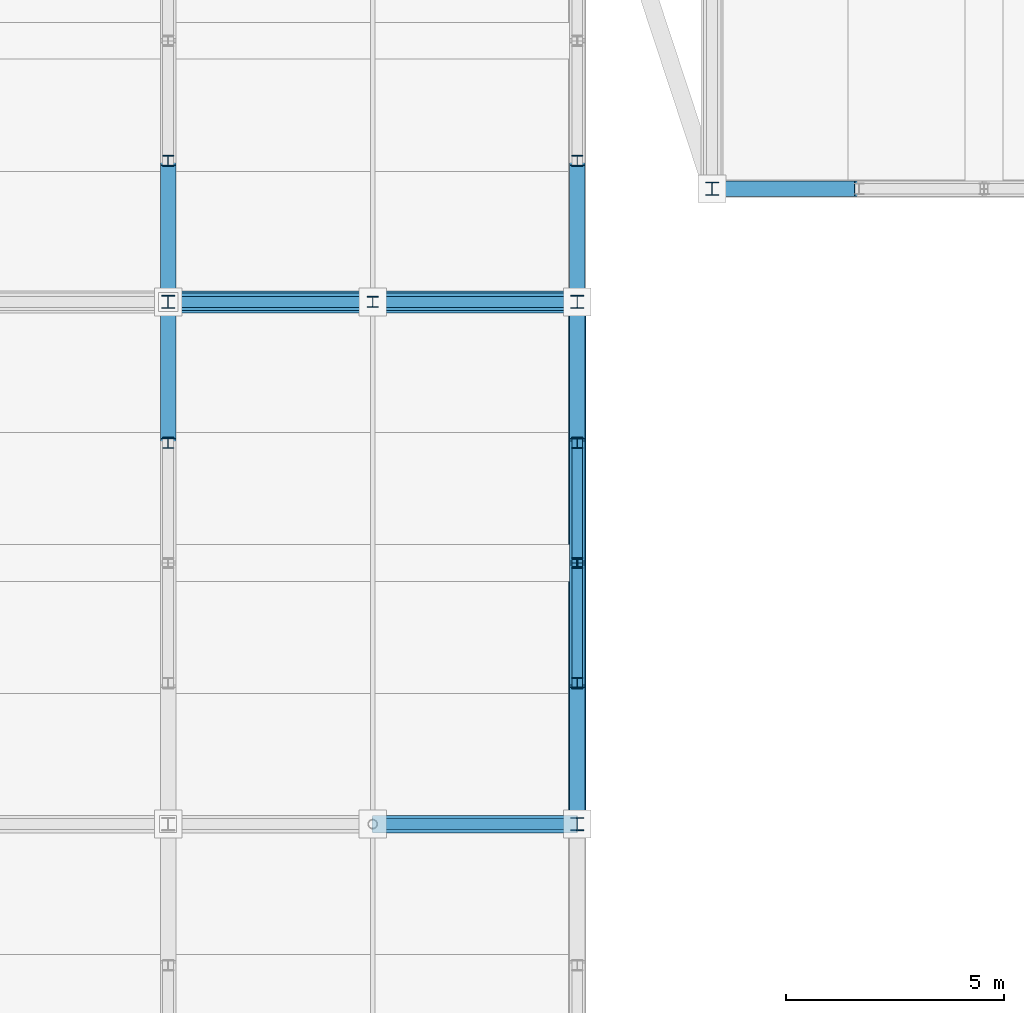
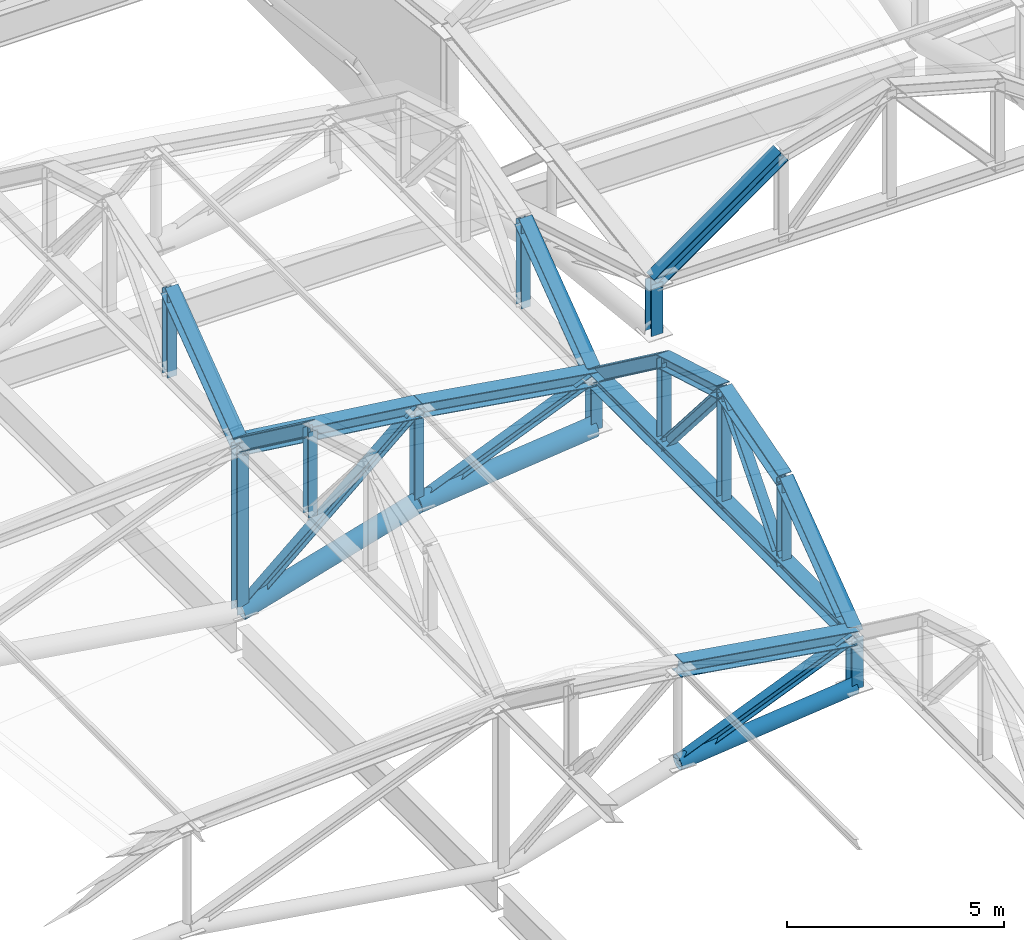
# One storey, part 41 of 117: 31 members.
"""IFC4 building model written with IfcOpenShell, lengths in metres."""

from ifc_helpers import new_model, si_unit, direction, frame, origin, origin_2d, place, context, subcontext, project, spatial, hollow_circle, i_section, extrude, material, material_profile, profile_set, type_object, element, save


model = new_model("IFC4")

# Units and contexts
model_context = context("Model", 3, precision=1e-05, world=origin(), true_north=direction((0.0, 1.0)))
body_context = subcontext(model_context, "Body", "Model", "MODEL_VIEW")
ifc_project = project(units=[si_unit("LENGTHUNIT", "METRE"), si_unit("AREAUNIT", "SQUARE_METRE"), si_unit("VOLUMEUNIT", "CUBIC_METRE"), si_unit("PLANEANGLEUNIT", "RADIAN"), si_unit("MASSUNIT", "GRAM", prefix="KILO")], contexts=[model_context])

# Site, building, storey
site_placement = place(None, origin())
site = spatial("IfcSite", under=ifc_project, at=site_placement, CompositionType="ELEMENT")
building_placement = place(site_placement, origin())
building = spatial("IfcBuilding", under=site, at=building_placement, Name="Kazenohara Klinker Stadium", CompositionType="ELEMENT")
storey_placement = place(building_placement, frame((0.0, 0.0, 31.199951171875)))
storey = spatial("IfcBuildingStorey", under=building, at=storey_placement, Name="RF", CompositionType="ELEMENT", Elevation=31.199951171875)

# Members
ifc_material = material(Name="Steel S355", Category="steel")
ifc_material_profile_1 = material_profile(ifc_material, i_section(OverallWidth=0.25, OverallDepth=0.25, WebThickness=0.009033203125, FlangeThickness=0.013916015625, FilletRadius=0.012939453125, at=origin_2d()), Name="H-250x250x9x14")
ifc_profile_set_1 = profile_set([ifc_material_profile_1], Name="Steel S355")
member_type_1 = type_object("IfcMemberType", Name="MEM-BRC02", PredefinedType="BRACE", material=ifc_profile_set_1)
member_1_placement = place(storey_placement, frame((53.699951171875, 108.0, 1.35009765625), z_axis=(0.923659284192, 0.0, 0.383214726655), x_axis=(0.0, 1.0, 0.0)))
element("IfcMember", 1, at=member_1_placement, inside=storey, type_object=member_type_1, Name="ROOF TRUSS RT-W06 web diagonal 5", PredefinedType="BRACE", context=body_context, shape_type="SweptSolid", body=[
    extrude(i_section(OverallWidth=0.25, OverallDepth=0.25, WebThickness=0.009033203125, FlangeThickness=0.013916015625, FilletRadius=0.012939453125, at=origin_2d()), origin(), (0.0, 0.0, 1.0), 5.08837890625),
])
member_2_placement = place(storey_placement, frame((49.0, 120.0, -0.02001953125), z_axis=(0.755945561544, 0.0, 0.65463448426), x_axis=(0.0, 1.0, 0.0)))
element("IfcMember", 2, at=member_2_placement, inside=storey, type_object=member_type_1, Name="ROOF TRUSS RT-W07 web diagonal 4", PredefinedType="BRACE", context=body_context, shape_type="SweptSolid", body=[
    extrude(i_section(OverallWidth=0.25, OverallDepth=0.25, WebThickness=0.009033203125, FlangeThickness=0.013916015625, FilletRadius=0.012939453125, at=origin_2d()), origin(), (0.0, 0.0, 1.0), 6.21728515625),
])
member_3_placement = place(storey_placement, frame((53.699951171875, 120.0, 1.35009765625), z_axis=(0.923659284192, 0.0, 0.383214726655), x_axis=(0.0, 1.0, 0.0)))
element("IfcMember", 3, at=member_3_placement, inside=storey, type_object=member_type_1, Name="ROOF TRUSS RT-W07 web diagonal 5", PredefinedType="BRACE", context=body_context, shape_type="SweptSolid", body=[
    extrude(i_section(OverallWidth=0.25, OverallDepth=0.25, WebThickness=0.009033203125, FlangeThickness=0.013916015625, FilletRadius=0.012939453125, at=origin_2d()), origin(), (0.0, 0.0, 1.0), 5.08837890625),
])
ifc_material_profile_2 = material_profile(ifc_material, i_section(OverallWidth=0.39990234375, OverallDepth=0.39990234375, WebThickness=0.012939453125, FlangeThickness=0.02099609375, FilletRadius=0.02197265625, at=origin_2d()), Name="H-400x400x13x21")
ifc_profile_set_2 = profile_set([ifc_material_profile_2], Name="Steel S355")
member_type_2 = type_object("IfcMemberType", Name="MEM-CHD01", PredefinedType="CHORD", material=ifc_profile_set_2)
member_4_placement = place(storey_placement, frame((53.699951171875, 108.0, 4.050048828125), z_axis=(0.987505848374, 0.0, -0.157582357602), x_axis=(0.0, 1.0, 0.0)))
element("IfcMember", 4, at=member_4_placement, inside=storey, type_object=member_type_2, Name="ROOF TRUSS RT-W06 top arched chord 5", PredefinedType="CHORD", context=body_context, shape_type="SweptSolid", body=[
    extrude(i_section(OverallWidth=0.39990234375, OverallDepth=0.39990234375, WebThickness=0.012939453125, FlangeThickness=0.02099609375, FilletRadius=0.02197265625, at=origin_2d()), origin(), (0.0, 0.0, 1.0), 4.759521484375),
])
member_5_placement = place(storey_placement, frame((49.0, 120.0, 4.650146484375), z_axis=(0.99194702514, 0.0, -0.126653461524), x_axis=(0.0, 1.0, 0.0)))
element("IfcMember", 5, at=member_5_placement, inside=storey, type_object=member_type_2, Name="ROOF TRUSS RT-W07 top arched chord 4", PredefinedType="CHORD", context=body_context, shape_type="SweptSolid", body=[
    extrude(i_section(OverallWidth=0.39990234375, OverallDepth=0.39990234375, WebThickness=0.012939453125, FlangeThickness=0.02099609375, FilletRadius=0.02197265625, at=origin_2d()), origin(), (0.0, 0.0, 1.0), 4.738037109375),
])
member_6_placement = place(storey_placement, frame((53.699951171875, 120.0, 4.050048828125), z_axis=(0.987505848374, 0.0, -0.157582357602), x_axis=(0.0, 1.0, 0.0)))
element("IfcMember", 6, at=member_6_placement, inside=storey, type_object=member_type_2, Name="ROOF TRUSS RT-W07 top arched chord 5", PredefinedType="CHORD", context=body_context, shape_type="SweptSolid", body=[
    extrude(i_section(OverallWidth=0.39990234375, OverallDepth=0.39990234375, WebThickness=0.012939453125, FlangeThickness=0.02099609375, FilletRadius=0.02197265625, at=origin_2d()), origin(), (0.0, 0.0, 1.0), 4.759521484375),
])
member_7_placement = place(storey_placement, frame((58.39990234375, 108.0, 3.300048828125), z_axis=(0.0, 1.0, 0.0), x_axis=(-1.0, 0.0, 0.0)))
element("IfcMember", 7, at=member_7_placement, inside=storey, type_object=member_type_2, Name="Inner tension ring chord TC01 segment 06", PredefinedType="CHORD", context=body_context, shape_type="SweptSolid", body=[
    extrude(i_section(OverallWidth=0.39990234375, OverallDepth=0.39990234375, WebThickness=0.012939453125, FlangeThickness=0.02099609375, FilletRadius=0.02197265625, at=origin_2d()), origin(), (0.0, 0.0, 1.0), 12.0),
])
ifc_material_profile_3 = material_profile(ifc_material, i_section(OverallWidth=0.35009765625, OverallDepth=0.35009765625, WebThickness=0.011962890625, FlangeThickness=0.01904296875, FilletRadius=0.012939453125, at=origin_2d()), Name="H-350x350x12x19")
ifc_profile_set_3 = profile_set([ifc_material_profile_3], Name="Steel S355")
member_type_3 = type_object("IfcMemberType", Name="MEM-CHD02", PredefinedType="CHORD", material=ifc_profile_set_3)
for number, where, z_axis, x_axis, name in (
    (8, (49.0, 116.760009765625, 7.050048828125), (0.0, 0.803567919639, -0.595213069856), (-1.0, 0.0, 0.0), "Barrel arch top rib TC02 W-06-N3-S4"),
    (9, (58.39990234375, 108.0, 3.300048828125), (0.0, 0.803567919639, 0.595213069856), (-1.0, 0.0, 0.0), "Barrel arch top rib TC02 W-06-N5-S1"),
):
    element("IfcMember", number, at=place(storey_placement, frame(where, z_axis=z_axis, x_axis=x_axis)), inside=storey, type_object=member_type_3, Name=name, PredefinedType="CHORD", context=body_context, shape_type="SweptSolid", body=[
        extrude(i_section(OverallWidth=0.35009765625, OverallDepth=0.35009765625, WebThickness=0.011962890625, FlangeThickness=0.01904296875, FilletRadius=0.012939453125, at=origin_2d()), origin(), (0.0, 0.0, 1.0), 4.031982421875),
    ])
for number, where, z_axis, x_axis, name in (
    (10, (58.39990234375, 111.239990234375, 5.699951171875), (0.0, 0.960462085918, 0.27841081429), (-1.0, 0.0, 0.0), "Barrel arch top rib TC02 W-06-N5-S2"),
    (11, (58.39990234375, 114.0, 6.5), (0.0, 0.960462085918, -0.27841081429), (-1.0, 0.0, 0.0), "Barrel arch top rib TC02 W-06-N5-S3"),
):
    element("IfcMember", number, at=place(storey_placement, frame(where, z_axis=z_axis, x_axis=x_axis)), inside=storey, type_object=member_type_3, Name=name, PredefinedType="CHORD", context=body_context, shape_type="SweptSolid", body=[
        extrude(i_section(OverallWidth=0.35009765625, OverallDepth=0.35009765625, WebThickness=0.011962890625, FlangeThickness=0.01904296875, FilletRadius=0.012939453125, at=origin_2d()), origin(), (0.0, 0.0, 1.0), 2.87353515625),
    ])
for number, where, z_axis, x_axis, name in (
    (12, (58.39990234375, 116.760009765625, 5.699951171875), (0.0, 0.803567919639, -0.595213069856), (-1.0, 0.0, 0.0), "Barrel arch top rib TC02 W-06-N5-S4"),
    (13, (49.0, 120.0, 4.650146484375), (0.0, 0.803567919639, 0.595213069856), (-1.0, 0.0, 0.0), "Barrel arch top rib TC02 W-07-N3-S1"),
    (14, (58.39990234375, 120.0, 3.300048828125), (0.0, 0.803567919639, 0.595213069856), (-1.0, 0.0, 0.0), "Barrel arch top rib TC02 W-07-N5-S1"),
):
    element("IfcMember", number, at=place(storey_placement, frame(where, z_axis=z_axis, x_axis=x_axis)), inside=storey, type_object=member_type_3, Name=name, PredefinedType="CHORD", context=body_context, shape_type="SweptSolid", body=[
        extrude(i_section(OverallWidth=0.35009765625, OverallDepth=0.35009765625, WebThickness=0.011962890625, FlangeThickness=0.01904296875, FilletRadius=0.012939453125, at=origin_2d()), origin(), (0.0, 0.0, 1.0), 4.031982421875),
    ])
member_8_placement = place(storey_placement, frame((61.5, 122.60009765625, 3.300048828125), z_axis=(0.814966461491, 0.0, 0.579508124744), x_axis=(0.0, 1.0, 0.0)))
element("IfcMember", 15, at=member_8_placement, inside=storey, type_object=member_type_3, Name="Barrel arch top rib TC02 N-01-N5-S1", PredefinedType="CHORD", context=body_context, shape_type="SweptSolid", body=[
    extrude(i_section(OverallWidth=0.35009765625, OverallDepth=0.35009765625, WebThickness=0.011962890625, FlangeThickness=0.01904296875, FilletRadius=0.012939453125, at=origin_2d()), origin(), (0.0, 0.0, 1.0), 4.141357421875),
])
ifc_material_profile_4 = material_profile(ifc_material, hollow_circle(Radius=0.203125, WallThickness=0.011962890625, at=origin_2d()), Name="CHS-406.4x12")
ifc_profile_set_4 = profile_set([ifc_material_profile_4], Name="Steel S355")
member_type_4 = type_object("IfcMemberType", Name="MEM-CHD03", PredefinedType="CHORD", material=ifc_profile_set_4)
member_9_placement = place(storey_placement, frame((53.699951171875, 108.0, 1.35009765625), z_axis=(0.99438879757, 0.0, 0.105787141313), x_axis=(0.0, 1.0, 0.0)))
element("IfcMember", 16, at=member_9_placement, inside=storey, type_object=member_type_4, Name="ROOF TRUSS RT-W06 bottom arched chord 5", PredefinedType="CHORD", context=body_context, shape_type="SweptSolid", body=[
    extrude(hollow_circle(Radius=0.203125, WallThickness=0.011962890625, at=origin_2d()), origin(), (0.0, 0.0, 1.0), 4.7265625),
])
ifc_material_profile_5 = material_profile(ifc_material, hollow_circle(Radius=0.25390625, WallThickness=0.01611328125, at=origin_2d()), Name="CHS-508.0x16")
ifc_profile_set_5 = profile_set([ifc_material_profile_5], Name="Steel S355")
member_type_5 = type_object("IfcMemberType", Name="MEM-CHD04", PredefinedType="CHORD", material=ifc_profile_set_5)
member_10_placement = place(storey_placement, frame((49.0, 120.0, -0.02001953125), z_axis=(0.960038530088, 0.0, 0.279867863012), x_axis=(0.0, 1.0, 0.0)))
element("IfcMember", 17, at=member_10_placement, inside=storey, type_object=member_type_5, Name="ROOF TRUSS RT-W07 bottom arched chord 4", PredefinedType="CHORD", context=body_context, shape_type="SweptSolid", body=[
    extrude(hollow_circle(Radius=0.25390625, WallThickness=0.01611328125, at=origin_2d()), origin(), (0.0, 0.0, 1.0), 4.8955078125),
])
member_11_placement = place(storey_placement, frame((53.699951171875, 120.0, 1.35009765625), z_axis=(0.99438879757, 0.0, 0.105787141313), x_axis=(0.0, 1.0, 0.0)))
element("IfcMember", 18, at=member_11_placement, inside=storey, type_object=member_type_5, Name="ROOF TRUSS RT-W07 bottom arched chord 5", PredefinedType="CHORD", context=body_context, shape_type="SweptSolid", body=[
    extrude(hollow_circle(Radius=0.25390625, WallThickness=0.01611328125, at=origin_2d()), origin(), (0.0, 0.0, 1.0), 4.7265625),
])
ifc_material_profile_6 = material_profile(ifc_material, i_section(OverallWidth=0.300048828125, OverallDepth=0.300048828125, WebThickness=0.010009765625, FlangeThickness=0.014892578125, FilletRadius=0.012939453125, at=origin_2d()), Name="H-300x300x10x15")
ifc_profile_set_6 = profile_set([ifc_material_profile_6], Name="Steel S355")
member_type_6 = type_object("IfcMemberType", Name="MEM-STR01", PredefinedType="STRUT", material=ifc_profile_set_6)
for number, where, z_axis, x_axis, name in (
    (19, (61.5, 122.60009765625, 1.85009765625), (0.0, 0.0, 1.0), (1.0, 0.0, 0.0), "ROOF TRUSS RT-N01 web post 6"),
    (20, (58.39990234375, 108.0, 1.85009765625), (0.0, 0.0, 1.0), (1.0, 0.0, 0.0), "ROOF TRUSS RT-W06 web post 6"),
):
    element("IfcMember", number, at=place(storey_placement, frame(where, z_axis=z_axis, x_axis=x_axis)), inside=storey, type_object=member_type_6, Name=name, PredefinedType="STRUT", context=body_context, shape_type="SweptSolid", body=[
        extrude(i_section(OverallWidth=0.300048828125, OverallDepth=0.300048828125, WebThickness=0.010009765625, FlangeThickness=0.014892578125, FilletRadius=0.012939453125, at=origin_2d()), origin(), (0.0, 0.0, 1.0), 1.449951171875),
    ])
member_12_placement = place(storey_placement, frame((49.0, 120.0, -0.02001953125), z_axis=(0.0, 0.0, 1.0), x_axis=(1.0, 0.0, 0.0)))
element("IfcMember", 21, at=member_12_placement, inside=storey, type_object=member_type_6, Name="ROOF TRUSS RT-W07 web post 4", PredefinedType="STRUT", context=body_context, shape_type="SweptSolid", body=[
    extrude(i_section(OverallWidth=0.300048828125, OverallDepth=0.300048828125, WebThickness=0.010009765625, FlangeThickness=0.014892578125, FilletRadius=0.012939453125, at=origin_2d()), origin(), (0.0, 0.0, 1.0), 4.670166015625),
])
member_13_placement = place(storey_placement, frame((58.39990234375, 120.0, 1.85009765625), z_axis=(0.0, 0.0, 1.0), x_axis=(1.0, 0.0, 0.0)))
element("IfcMember", 22, at=member_13_placement, inside=storey, type_object=member_type_6, Name="ROOF TRUSS RT-W07 web post 6", PredefinedType="STRUT", context=body_context, shape_type="SweptSolid", body=[
    extrude(i_section(OverallWidth=0.300048828125, OverallDepth=0.300048828125, WebThickness=0.010009765625, FlangeThickness=0.014892578125, FilletRadius=0.012939453125, at=origin_2d()), origin(), (0.0, 0.0, 1.0), 1.449951171875),
])
ifc_material_profile_7 = material_profile(ifc_material, i_section(OverallWidth=0.25, OverallDepth=0.25, WebThickness=0.009033203125, FlangeThickness=0.013916015625, FilletRadius=0.012939453125, at=origin_2d()), Name="H-250x250x9x14")
ifc_profile_set_7 = profile_set([ifc_material_profile_7], Name="Steel S355")
member_type_7 = type_object("IfcMemberType", Name="MEM-STR02", PredefinedType="STRUT", material=ifc_profile_set_7)
member_14_placement = place(storey_placement, frame((53.699951171875, 120.0, 1.35009765625), z_axis=(0.0, 0.0, 1.0), x_axis=(1.0, 0.0, 0.0)))
element("IfcMember", 23, at=member_14_placement, inside=storey, type_object=member_type_7, Name="ROOF TRUSS RT-W07 web post 5", PredefinedType="STRUT", context=body_context, shape_type="SweptSolid", body=[
    extrude(i_section(OverallWidth=0.25, OverallDepth=0.25, WebThickness=0.009033203125, FlangeThickness=0.013916015625, FilletRadius=0.012939453125, at=origin_2d()), origin(), (0.0, 0.0, 1.0), 2.699951171875),
])
for number, where, z_axis, x_axis, name in (
    (24, (49.0, 116.760009765625, 4.650146484375), (0.0, 0.0, 1.0), (1.0, 0.0, 0.0), "Barrel arch web post TS02 W-06-N3-P3"),
    (25, (58.39990234375, 111.239990234375, 3.300048828125), (0.0, 0.0, 1.0), (1.0, 0.0, 0.0), "Barrel arch web post TS02 W-06-N5-P1"),
):
    element("IfcMember", number, at=place(storey_placement, frame(where, z_axis=z_axis, x_axis=x_axis)), inside=storey, type_object=member_type_7, Name=name, PredefinedType="STRUT", context=body_context, shape_type="SweptSolid", body=[
        extrude(i_section(OverallWidth=0.25, OverallDepth=0.25, WebThickness=0.009033203125, FlangeThickness=0.013916015625, FilletRadius=0.012939453125, at=origin_2d()), origin(), (0.0, 0.0, 1.0), 2.39990234375),
    ])
member_15_placement = place(storey_placement, frame((58.39990234375, 114.0, 3.300048828125), z_axis=(0.0, 0.0, 1.0), x_axis=(1.0, 0.0, 0.0)))
element("IfcMember", 26, at=member_15_placement, inside=storey, type_object=member_type_7, Name="Barrel arch web post TS02 W-06-N5-P2", PredefinedType="STRUT", context=body_context, shape_type="SweptSolid", body=[
    extrude(i_section(OverallWidth=0.25, OverallDepth=0.25, WebThickness=0.009033203125, FlangeThickness=0.013916015625, FilletRadius=0.012939453125, at=origin_2d()), origin(), (0.0, 0.0, 1.0), 3.199951171875),
])
member_16_placement = place(storey_placement, frame((58.39990234375, 116.760009765625, 3.300048828125), z_axis=(0.0, 0.0, 1.0), x_axis=(1.0, 0.0, 0.0)))
element("IfcMember", 27, at=member_16_placement, inside=storey, type_object=member_type_7, Name="Barrel arch web post TS02 W-06-N5-P3", PredefinedType="STRUT", context=body_context, shape_type="SweptSolid", body=[
    extrude(i_section(OverallWidth=0.25, OverallDepth=0.25, WebThickness=0.009033203125, FlangeThickness=0.013916015625, FilletRadius=0.012939453125, at=origin_2d()), origin(), (0.0, 0.0, 1.0), 2.39990234375),
])
for number, where, z_axis, x_axis, name in (
    (28, (58.39990234375, 111.239990234375, 3.300048828125), (0.0, 0.653133887971, 0.757242447558), (-1.0, 0.0, 0.0), "Barrel arch web diagonal TS02 W-06-N5-D1"),
    (29, (58.39990234375, 116.760009765625, 3.300048828125), (0.0, -0.653133887971, 0.757242447558), (1.0, 0.0, 0.0), "Barrel arch web diagonal TS02 W-06-N5-D2"),
):
    element("IfcMember", number, at=place(storey_placement, frame(where, z_axis=z_axis, x_axis=x_axis)), inside=storey, type_object=member_type_7, Name=name, PredefinedType="STRUT", context=body_context, shape_type="SweptSolid", body=[
        extrude(i_section(OverallWidth=0.25, OverallDepth=0.25, WebThickness=0.009033203125, FlangeThickness=0.013916015625, FilletRadius=0.012939453125, at=origin_2d()), origin(), (0.0, 0.0, 1.0), 4.225830078125),
    ])
for number, where, z_axis, x_axis, name in (
    (30, (49.0, 123.239990234375, 4.650146484375), (0.0, 0.0, 1.0), (1.0, 0.0, 0.0), "Barrel arch web post TS02 W-07-N3-P1"),
    (31, (58.39990234375, 123.239990234375, 3.300048828125), (0.0, 0.0, 1.0), (1.0, 0.0, 0.0), "Barrel arch web post TS02 W-07-N5-P1"),
):
    element("IfcMember", number, at=place(storey_placement, frame(where, z_axis=z_axis, x_axis=x_axis)), inside=storey, type_object=member_type_7, Name=name, PredefinedType="STRUT", context=body_context, shape_type="SweptSolid", body=[
        extrude(i_section(OverallWidth=0.25, OverallDepth=0.25, WebThickness=0.009033203125, FlangeThickness=0.013916015625, FilletRadius=0.012939453125, at=origin_2d()), origin(), (0.0, 0.0, 1.0), 2.39990234375),
    ])

save(model, "model.ifc")
